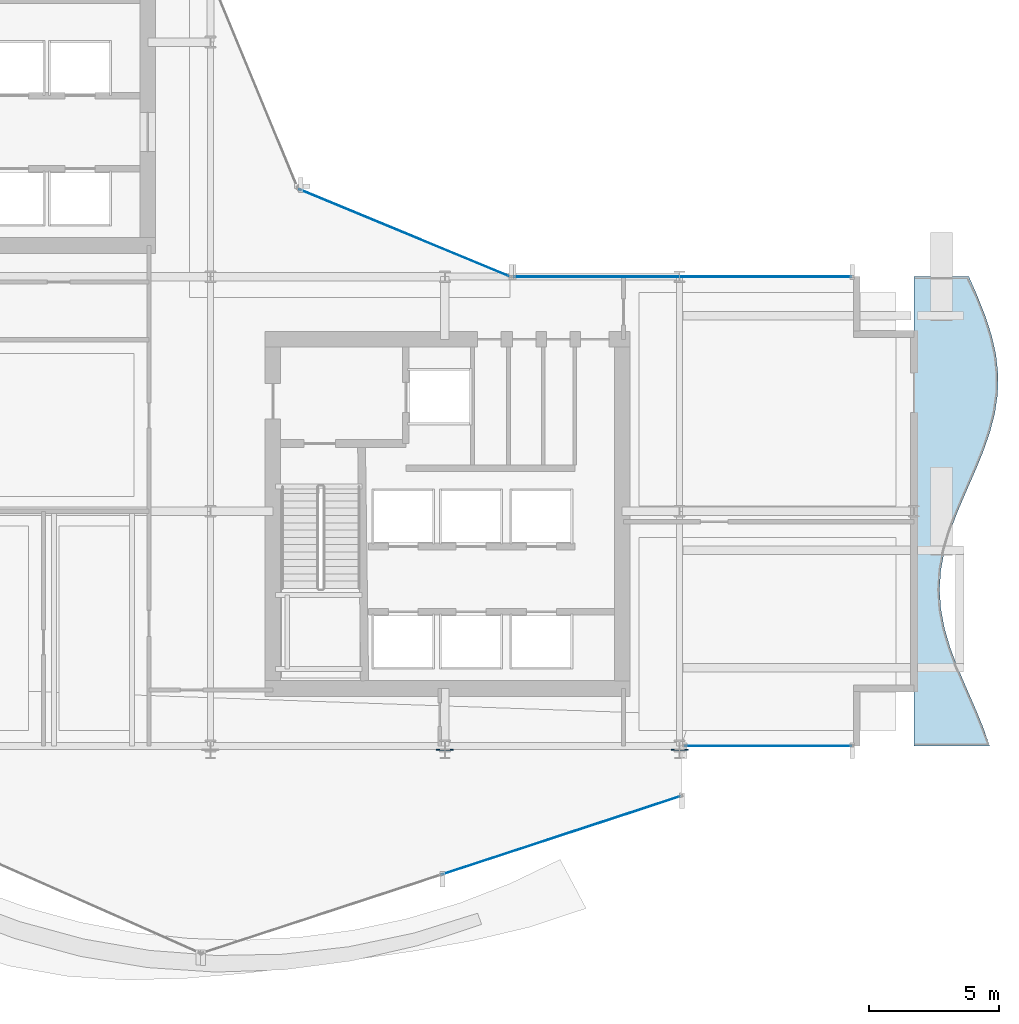
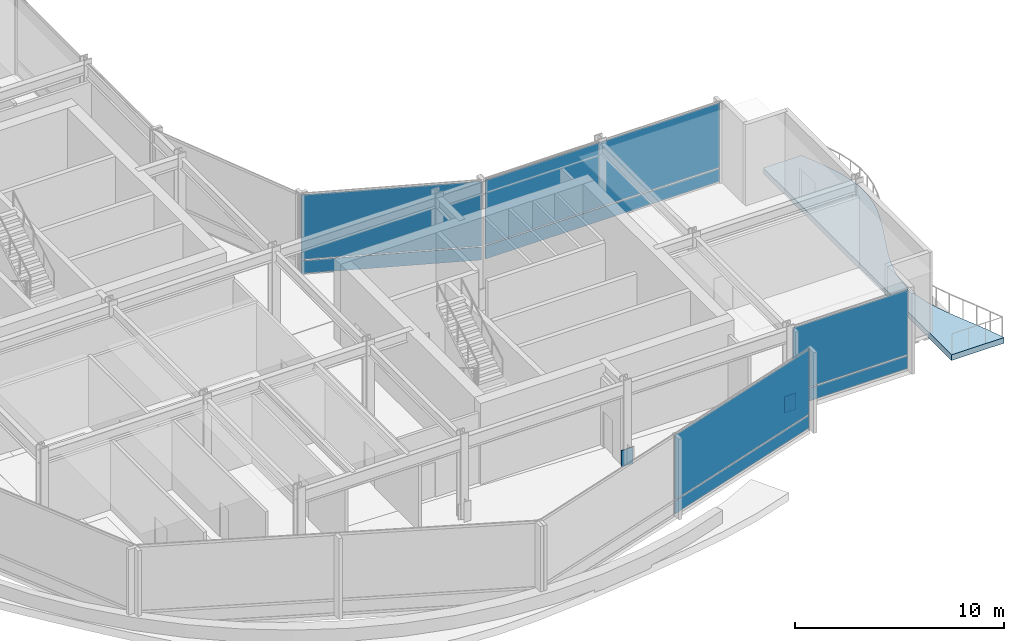
# One storey, part 23 of 33: 10 plates, 1 slab, 4 elements without a shape of their own.
"""IFC4 building model written with IfcOpenShell, lengths in metres."""

from ifc_helpers import new_model, si_unit, direction, frame, origin, origin_2d, place, context, subcontext, project, spatial, polyline, rectangle, outline, extrude, material, layer, layer_set, type_object, element, aggregate, save


model = new_model("IFC4")

# Units and contexts
model_context = context("Model", 3, precision=1e-05, world=origin(), true_north=direction((0.0, 1.0)))
body_context = subcontext(model_context, "Body", "Model", "MODEL_VIEW")
ifc_project = project(units=[si_unit("LENGTHUNIT", "METRE"), si_unit("AREAUNIT", "SQUARE_METRE"), si_unit("VOLUMEUNIT", "CUBIC_METRE"), si_unit("PLANEANGLEUNIT", "RADIAN"), si_unit("MASSUNIT", "GRAM", prefix="KILO")], contexts=[model_context])

# Site, building, storey
site_placement = place(None, origin())
site = spatial("IfcSite", under=ifc_project, at=site_placement, CompositionType="ELEMENT")
building_placement = place(site_placement, origin())
building = spatial("IfcBuilding", under=site, at=building_placement, Name="Solvaryn Broadcast Tower", CompositionType="ELEMENT")
storey_placement = place(building_placement, frame((0.0, 0.0, 105.0)))
storey = spatial("IfcBuildingStorey", under=building, at=storey_placement, Name="L25", CompositionType="ELEMENT", Elevation=105.0)

# Curtain wall, plates
ifc_material_1 = material(Name="Aluminium and Terracotta Unitised Curtain Wall", Category="masonry")
ifc_layer_1 = layer(ifc_material_1, 0.25)
ifc_layer_set_1 = layer_set([ifc_layer_1], Name="CW-SYS4-SKYGARDEN")
curtain_wall_type = type_object("IfcCurtainWallType", Name="CW-SYS4-SKYGARDEN", PredefinedType="NOTDEFINED", material=ifc_layer_set_1)
curtain_wall_1_placement = place(storey_placement, origin())
curtain_wall_1 = element("IfcCurtainWall", 1, at=curtain_wall_1_placement, inside=storey, type_object=curtain_wall_type, Name="L25 Curtain Wall DR4", PredefinedType="NOTDEFINED")
ifc_material_2 = material(Name="Low-Iron Insulated Vision Glass", Category="glass")
ifc_layer_2 = layer(ifc_material_2, 0.035888671875)
ifc_layer_set_2 = layer_set([ifc_layer_2], Name="CW-PNL-VISION")
plate_type_1 = type_object("IfcPlateType", Name="CW-PNL-VISION", PredefinedType="CURTAIN_PANEL", material=ifc_layer_set_2)
plate_1_placement = place(storey_placement, frame((40.445068359375, 5.56298828125, 0.06005859375), z_axis=(0.0, 0.0, 1.0), x_axis=(0.950198260794, 0.311646057547, 0.0)))
plate_1 = element("IfcPlate", 2, at=plate_1_placement, type_object=plate_type_1, Name="CWS4 panel 2.1", PredefinedType="CURTAIN_PANEL", context=body_context, shape_type="SweptSolid", body=[
    extrude(rectangle(XDim=9.6083984375, YDim=0.028076171875, at=origin_2d()), origin(), (0.0, 0.0, 1.0), 0.760009765625),
])
plate_2_placement = place(storey_placement, frame((40.445068359375, 5.56298828125, 0.8798828125), z_axis=(0.0, 0.0, 1.0), x_axis=(0.950198260794, 0.311646057547, 0.0)))
plate_2 = element("IfcPlate", 3, at=plate_2_placement, type_object=plate_type_1, Name="CWS4 panel 2.2", PredefinedType="CURTAIN_PANEL", context=body_context, shape_type="SweptSolid", body=[
    extrude(rectangle(XDim=9.6083984375, YDim=0.028076171875, at=origin_2d()), origin(), (0.0, 0.0, 1.0), 3.780029296875),
])
aggregate(curtain_wall_1, [plate_1, plate_2])

curtain_wall_2_placement = place(storey_placement, origin())
curtain_wall_2 = element("IfcCurtainWall", 4, at=curtain_wall_2_placement, inside=storey, type_object=curtain_wall_type, Name="L25 Curtain Wall CN1", PredefinedType="NOTDEFINED")
plate_3_placement = place(storey_placement, frame((34.43408203125, 28.68408203125, 0.06005859375), z_axis=(0.0, 0.0, 1.0), x_axis=(-0.923894983957, 0.382646127145, 0.0)))
plate_3 = element("IfcPlate", 5, at=plate_3_placement, type_object=plate_type_1, Name="CWS4 panel 1.1", PredefinedType="CURTAIN_PANEL", context=body_context, shape_type="SweptSolid", body=[
    extrude(rectangle(XDim=8.681884765625, YDim=0.028076171875, at=origin_2d()), origin(), (0.0, 0.0, 1.0), 0.760009765625),
])
plate_4_placement = place(storey_placement, frame((34.43408203125, 28.68408203125, 0.8798828125), z_axis=(0.0, 0.0, 1.0), x_axis=(-0.923894983957, 0.382646127145, 0.0)))
plate_4 = element("IfcPlate", 6, at=plate_4_placement, type_object=plate_type_1, Name="CWS4 panel 1.2", PredefinedType="CURTAIN_PANEL", context=body_context, shape_type="SweptSolid", body=[
    extrude(rectangle(XDim=8.681884765625, YDim=0.028076171875, at=origin_2d()), origin(), (0.0, 0.0, 1.0), 3.780029296875),
])
aggregate(curtain_wall_2, [plate_3, plate_4])

curtain_wall_3_placement = place(storey_placement, origin())
curtain_wall_3 = element("IfcCurtainWall", 7, at=curtain_wall_3_placement, inside=storey, type_object=curtain_wall_type, Name="L25 Curtain Wall S2", PredefinedType="NOTDEFINED")
plate_5_placement = place(storey_placement, frame((48.408447265625, 9.0, 0.06005859375), z_axis=(0.0, 0.0, 1.0), x_axis=(1.0, 0.0, 0.0)))
plate_5 = element("IfcPlate", 8, at=plate_5_placement, type_object=plate_type_1, Name="CWS4 panel 1.1", PredefinedType="CURTAIN_PANEL", context=body_context, shape_type="SweptSolid", body=[
    extrude(rectangle(XDim=6.363037109375, YDim=0.028076171875, at=origin_2d()), origin(), (0.0, 0.0, 1.0), 0.760009765625),
])
plate_6_placement = place(storey_placement, frame((48.408447265625, 9.0, 0.8798828125), z_axis=(0.0, 0.0, 1.0), x_axis=(1.0, 0.0, 0.0)))
plate_6 = element("IfcPlate", 9, at=plate_6_placement, type_object=plate_type_1, Name="CWS4 panel 1.2", PredefinedType="CURTAIN_PANEL", context=body_context, shape_type="SweptSolid", body=[
    extrude(rectangle(XDim=6.363037109375, YDim=0.028076171875, at=origin_2d()), origin(), (0.0, 0.0, 1.0), 3.780029296875),
])
aggregate(curtain_wall_3, [plate_5, plate_6])

curtain_wall_4_placement = place(storey_placement, origin())
curtain_wall_4 = element("IfcCurtainWall", 10, at=curtain_wall_4_placement, inside=storey, type_object=curtain_wall_type, Name="L25 Curtain Wall IH", PredefinedType="NOTDEFINED")
plate_7_placement = place(storey_placement, frame((45.125, 27.0, 0.06005859375), z_axis=(0.0, 0.0, 1.0), x_axis=(1.0, 0.0, 0.0)))
plate_7 = element("IfcPlate", 11, at=plate_7_placement, type_object=plate_type_1, Name="CWS4 panel 1.1", PredefinedType="CURTAIN_PANEL", context=body_context, shape_type="SweptSolid", body=[
    extrude(rectangle(XDim=12.929931640625, YDim=0.028076171875, at=origin_2d()), origin(), (0.0, 0.0, 1.0), 0.760009765625),
])
plate_8_placement = place(storey_placement, frame((45.125, 27.0, 0.8798828125), z_axis=(0.0, 0.0, 1.0), x_axis=(1.0, 0.0, 0.0)))
plate_8 = element("IfcPlate", 12, at=plate_8_placement, type_object=plate_type_1, Name="CWS4 panel 1.2", PredefinedType="CURTAIN_PANEL", context=body_context, shape_type="SweptSolid", body=[
    extrude(rectangle(XDim=12.929931640625, YDim=0.028076171875, at=origin_2d()), origin(), (0.0, 0.0, 1.0), 3.780029296875),
])
aggregate(curtain_wall_4, [plate_7, plate_8])

# Plates
ifc_material_3 = material(Name="Steel ASTM A572 Grade 50", Category="steel")
ifc_layer_3 = layer(ifc_material_3, 0.0400390625)
ifc_layer_set_3 = layer_set([ifc_layer_3], Name="PL-GUSSET-40")
plate_type_2 = type_object("IfcPlateType", Name="PL-GUSSET-40", PredefinedType="SHEET", material=ifc_layer_set_3)
for number, where, z_axis, x_axis, name in (
    (13, (36.0, 8.85009765625, -0.02490234375), (0.0, 0.0, 1.0), (1.0, 0.0, 0.0), "L25 Splice Gusset Plate 3"),
    (14, (45.0, 8.85009765625, -0.02490234375), (0.0, 0.0, 1.0), (1.0, 0.0, 0.0), "L25 Splice Gusset Plate 4"),
):
    element("IfcPlate", number, at=place(storey_placement, frame(where, z_axis=z_axis, x_axis=x_axis)), inside=storey, type_object=plate_type_2, Name=name, PredefinedType="SHEET", context=body_context, shape_type="SweptSolid", body=[
        extrude(rectangle(XDim=0.64990234375, YDim=0.0400390625, at=origin_2d()), origin(), (0.0, 0.0, 1.0), 0.949951171875),
    ])

# Slab
ifc_material_4 = material(Name="Concrete f'c 60 MPa", Category="concrete")
ifc_layer_4 = layer(ifc_material_4, 0.239990234375)
ifc_layer_set_4 = layer_set([ifc_layer_4], Name="SL-SKYG-240")
slab_type = type_object("IfcSlabType", Name="SL-SKYG-240", PredefinedType="FLOOR", material=ifc_layer_set_4)
slab_placement = place(storey_placement, frame((0.0, 0.0, -0.330078125)))
element("IfcSlab", 15, at=slab_placement, inside=storey, type_object=slab_type, Name="L25 Wave-Edged Terrace Slab TSSG2", PredefinedType="FLOOR", context=body_context, shape_type="SweptSolid", body=[
    extrude(outline(polyline([(56.89501953125, 9.0), (56.6298828125, 9.75), (56.319091796875, 10.5), (55.989990234375, 11.25), (55.6689453125, 12.0), (55.385986328125, 12.75), (55.1650390625, 13.5), (55.02294921875, 14.25), (54.97509765625, 15.0), (55.02294921875, 15.75), (55.1650390625, 16.5), (55.385986328125, 17.25), (55.6689453125, 18.0), (55.989990234375, 18.75), (56.319091796875, 19.5), (56.6298828125, 20.25), (56.89501953125, 21.0), (57.092041015625, 21.75), (57.202880859375, 22.5), (57.219970703125, 23.25), (57.138916015625, 24.0), (56.969970703125, 24.75), (56.72509765625, 25.5), (56.427001953125, 26.25), (56.10009765625, 27.0), (54.0, 27.0), (54.0, 26.25), (54.0, 25.5), (54.0, 24.75), (54.0, 24.0), (54.0, 23.25), (54.0, 22.5), (54.0, 21.75), (54.0, 21.0), (54.0, 20.25), (54.0, 19.5), (54.0, 18.75), (54.0, 18.0), (54.0, 17.25), (54.0, 16.5), (54.0, 15.75), (54.0, 15.0), (54.0, 14.25), (54.0, 13.5), (54.0, 12.75), (54.0, 12.0), (54.0, 11.25), (54.0, 10.5), (54.0, 9.75), (54.0, 9.0), (56.89501953125, 9.0)])), origin(), (0.0, 0.0, 1.0), 0.330078125),
])

save(model, "model.ifc")
